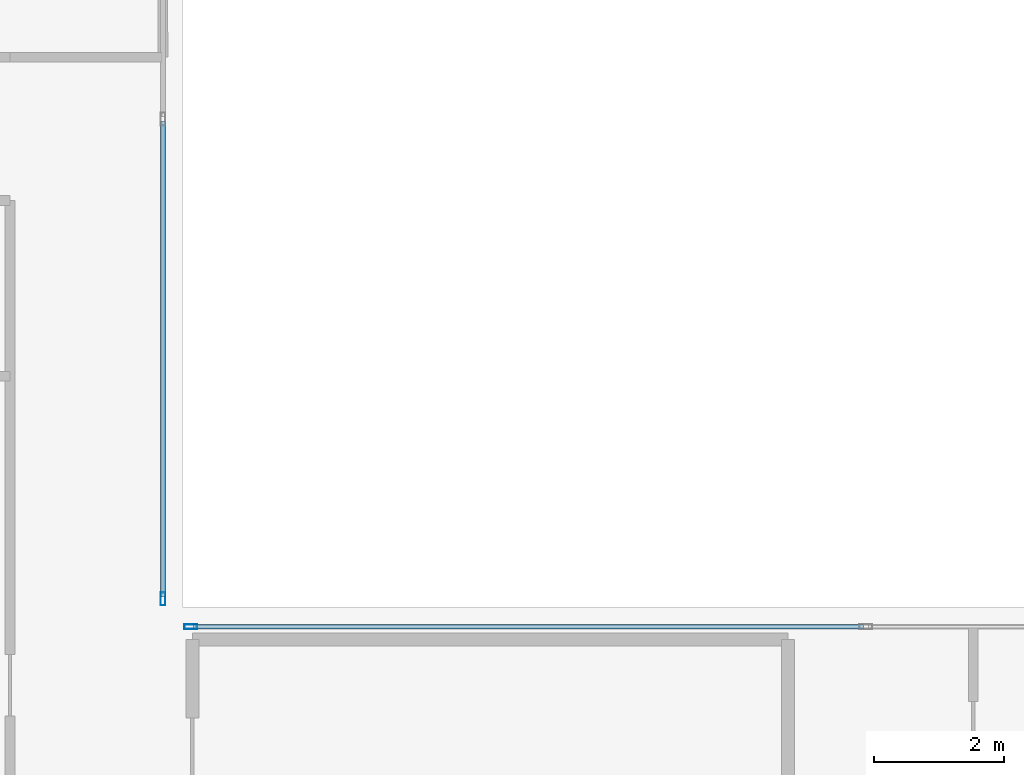
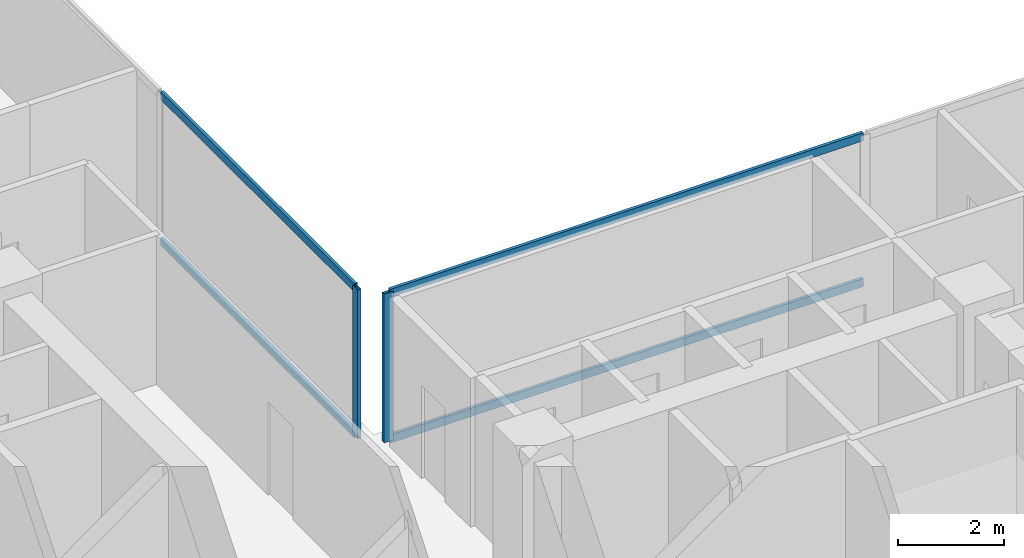
# One storey, part 8 of 24: 6 members, 2 elements without a shape of their own.
"""IFC4 building model written with IfcOpenShell, lengths in metres."""

from ifc_helpers import new_model, si_unit, direction, frame, origin, origin_2d, place, context, subcontext, project, spatial, hollow_rectangle, extrude, material, layer, layer_set, material_profile, profile_set, type_object, element, aggregate, save


model = new_model("IFC4")

# Units and contexts
model_context = context("Model", 3, precision=1e-05, world=origin(), true_north=direction((0.0, 1.0)))
body_context = subcontext(model_context, "Body", "Model", "MODEL_VIEW")
ifc_project = project(units=[si_unit("LENGTHUNIT", "METRE"), si_unit("AREAUNIT", "SQUARE_METRE"), si_unit("VOLUMEUNIT", "CUBIC_METRE"), si_unit("PLANEANGLEUNIT", "RADIAN"), si_unit("MASSUNIT", "GRAM", prefix="KILO"), si_unit("THERMODYNAMICTEMPERATUREUNIT", "KELVIN"), si_unit("POWERUNIT", "WATT")], contexts=[model_context])

# Site, building, storey
site_placement = place(None, origin())
site = spatial("IfcSite", under=ifc_project, at=site_placement, CompositionType="ELEMENT")
building_placement = place(site_placement, origin())
building = spatial("IfcBuilding", under=site, at=building_placement, Name="Svarakhadi Broadcast Tower", CompositionType="ELEMENT")
storey_placement = place(building_placement, frame((0.0, 0.0, 160.64990234375)))
storey = spatial("IfcBuildingStorey", under=building, at=storey_placement, Name="L39", CompositionType="ELEMENT", Elevation=160.64990234375)

# Curtain wall, member
ifc_material = material(Name="Anodised Bronze Aluminium AA 6063-T6", Category="aluminium")
ifc_layer = layer(ifc_material, 0.199951171875)
ifc_layer_set = layer_set([ifc_layer], Name="Anodised Bronze Aluminium AA 6063-T6")
curtain_wall_type = type_object("IfcCurtainWallType", Name="CW_Sys_03", PredefinedType="NOTDEFINED", material=ifc_layer_set)
curtain_wall_1_placement = place(storey_placement, origin())
curtain_wall_1 = element("IfcCurtainWall", 1, at=curtain_wall_1_placement, inside=storey, type_object=curtain_wall_type, Name="L39 Unitised Facade Curtain Wall 09", PredefinedType="NOTDEFINED")
ifc_material_profile_1 = material_profile(ifc_material, hollow_rectangle(XDim=0.074951171875, YDim=0.199951171875, WallThickness=0.005615234375, at=origin_2d()), Name="ALU MULLION 200x75x6")
ifc_profile_set_1 = profile_set([ifc_material_profile_1], Name="Anodised Bronze Aluminium AA 6063-T6")
member_type_1 = type_object("IfcMemberType", Name="CW_Sys_03_Mul", PredefinedType="MULLION", material=ifc_profile_set_1)
member_1_placement = place(storey_placement, frame((23.699951171875, 24.12744140625, 0.0), z_axis=(0.0, 0.0, 1.0), x_axis=(1.0, 0.0, 0.0)))
member_1 = element("IfcMember", 2, at=member_1_placement, type_object=member_type_1, Name="CW-03 mullion 3", PredefinedType="MULLION", context=body_context, shape_type="SweptSolid", body=[
    extrude(hollow_rectangle(XDim=0.074951171875, YDim=0.199951171875, WallThickness=0.005615234375, at=origin_2d()), origin(), (0.0, 0.0, 1.0), 3.425048828125),
])

curtain_wall_2_placement = place(storey_placement, origin())
curtain_wall_2 = element("IfcCurtainWall", 3, at=curtain_wall_2_placement, inside=storey, type_object=curtain_wall_type, Name="L39 Unitised Facade Curtain Wall 10", PredefinedType="NOTDEFINED")
member_2_placement = place(storey_placement, frame((24.12744140625, 23.699951171875, 0.0), z_axis=(0.0, 0.0, 1.0), x_axis=(0.0, 1.0, 0.0)))
member_2 = element("IfcMember", 4, at=member_2_placement, type_object=member_type_1, Name="CW-03 mullion 1", PredefinedType="MULLION", context=body_context, shape_type="SweptSolid", body=[
    extrude(hollow_rectangle(XDim=0.074951171875, YDim=0.199951171875, WallThickness=0.005615234375, at=origin_2d()), origin(), (0.0, 0.0, 1.0), 3.425048828125),
])

# Member
ifc_material_profile_2 = material_profile(ifc_material, hollow_rectangle(XDim=0.070068359375, YDim=0.18505859375, WallThickness=0.0048828125, at=origin_2d()), Name="ALU TRANSOM 185x70x5")
ifc_profile_set_2 = profile_set([ifc_material_profile_2], Name="Anodised Bronze Aluminium AA 6063-T6")
member_type_2 = type_object("IfcMemberType", Name="CW_Sys_03_Trn", PredefinedType="USERDEFINED", material=ifc_profile_set_2)
member_3_placement = place(storey_placement, frame((23.699951171875, 31.46240234375, 0.03515625), z_axis=(0.0, -1.0, 0.0), x_axis=(1.0, 0.0, 0.0)))
member_3 = element("IfcMember", 5, at=member_3_placement, type_object=member_type_2, Name="CW-03 transom 2.1", ObjectType="TRANSOM", PredefinedType="USERDEFINED", context=body_context, shape_type="SweptSolid", body=[
    extrude(hollow_rectangle(XDim=0.070068359375, YDim=0.18505859375, WallThickness=0.0048828125, at=origin_2d()), origin(), (0.0, 0.0, 1.0), 7.29736328125),
])

member_4_placement = place(storey_placement, frame((23.699951171875, 31.46240234375, 3.39013671875), z_axis=(0.0, -1.0, 0.0), x_axis=(1.0, 0.0, 0.0)))
member_4 = element("IfcMember", 6, at=member_4_placement, type_object=member_type_2, Name="CW-03 transom 2.2", ObjectType="TRANSOM", PredefinedType="USERDEFINED", context=body_context, shape_type="SweptSolid", body=[
    extrude(hollow_rectangle(XDim=0.070068359375, YDim=0.18505859375, WallThickness=0.0048828125, at=origin_2d()), origin(), (0.0, 0.0, 1.0), 7.29736328125),
])

aggregate(curtain_wall_1, [member_1, member_3, member_4])

member_5_placement = place(storey_placement, frame((24.1650390625, 23.699951171875, 0.03515625), z_axis=(1.0, 0.0, 0.0), x_axis=(0.0, 1.0, 0.0)))
member_5 = element("IfcMember", 7, at=member_5_placement, type_object=member_type_2, Name="CW-03 transom 1.1", ObjectType="TRANSOM", PredefinedType="USERDEFINED", context=body_context, shape_type="SweptSolid", body=[
    extrude(hollow_rectangle(XDim=0.070068359375, YDim=0.18505859375, WallThickness=0.0048828125, at=origin_2d()), origin(), (0.0, 0.0, 1.0), 10.29736328125),
])

member_6_placement = place(storey_placement, frame((24.1650390625, 23.699951171875, 3.39013671875), z_axis=(1.0, 0.0, 0.0), x_axis=(0.0, 1.0, 0.0)))
member_6 = element("IfcMember", 8, at=member_6_placement, type_object=member_type_2, Name="CW-03 transom 1.2", ObjectType="TRANSOM", PredefinedType="USERDEFINED", context=body_context, shape_type="SweptSolid", body=[
    extrude(hollow_rectangle(XDim=0.070068359375, YDim=0.18505859375, WallThickness=0.0048828125, at=origin_2d()), origin(), (0.0, 0.0, 1.0), 10.29736328125),
])

aggregate(curtain_wall_2, [member_2, member_5, member_6])

save(model, "model.ifc")
